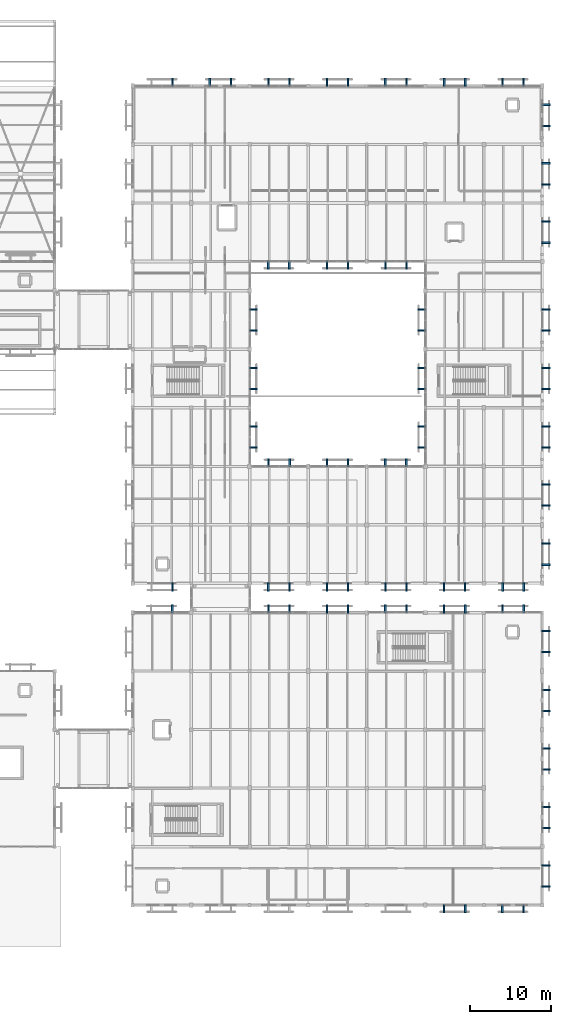
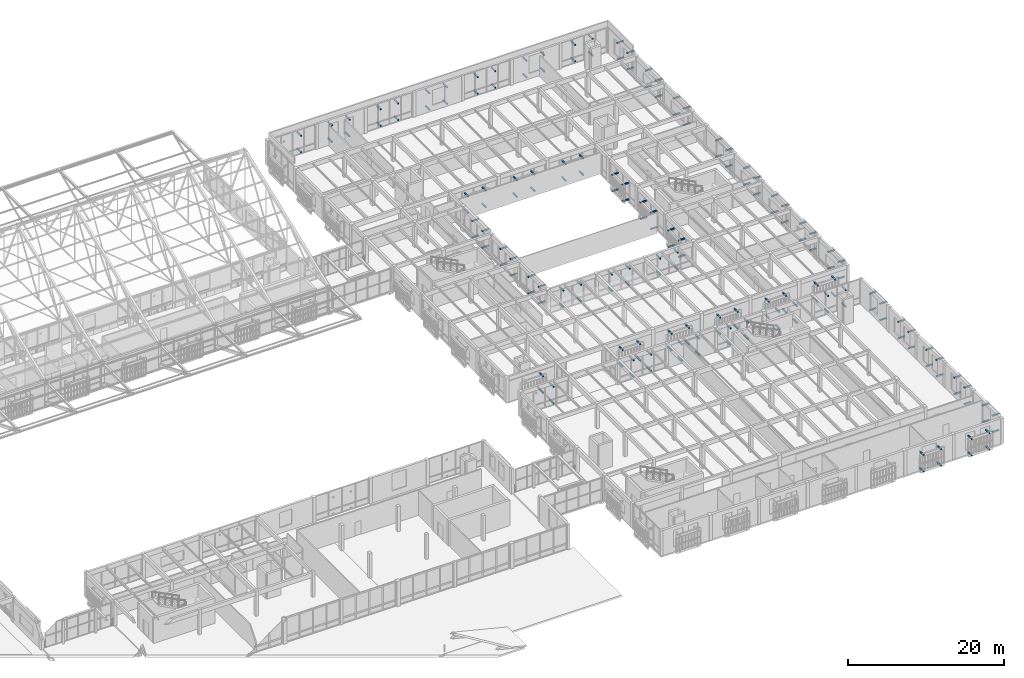
# One storey, part 192 of 217: 178 discrete accessories.
"""IFC4 building model written with IfcOpenShell, lengths in metres."""

import ifcopenshell
import ifcopenshell.guid

model = None  # the IFC model being written
_history = None  # IfcOwnerHistory: only IFC2X3 demands one
_inside = {}  # id of a spatial element -> (the spatial element, [elements in it])
_under = {}  # id of a project, library or spatial element -> (it, [spatial elements below it])
_declared = {}  # id of a project -> (the project, [libraries it declares])
_typed = {}  # id of a type object -> (the type object, [elements of that type])
_made_of = {}  # id of a material, layer set ... -> (it, [elements and type objects made of it])


def new_model(schema):
    """Start an empty IFC model of exactly this schema.

    Asked for "IFC4X3", IfcOpenShell would pick the latest addendum, in which some entities
    have other attributes; the version numbers below select the first issue.
    IFC2X3 requires an IfcOwnerHistory on every rooted entity: one is made here for all.
    """
    global model, _history
    if schema == "IFC4X3":
        model = ifcopenshell.file(schema_version=(4, 3, 0, 0))
    else:
        model = ifcopenshell.file(schema=schema)
    _inside.clear()
    _under.clear()
    _declared.clear()
    _typed.clear()
    _made_of.clear()
    _history = None
    if model.schema == "IFC2X3":
        org = make("IfcOrganization", Name="unknown")
        user = make(
            "IfcPersonAndOrganization",
            ThePerson=make("IfcPerson", FamilyName="unknown"),
            TheOrganization=org,
        )
        app = make(
            "IfcApplication",
            ApplicationDeveloper=org,
            Version="unknown",
            ApplicationFullName="unknown",
            ApplicationIdentifier="unknown",
        )
        _history = make(
            "IfcOwnerHistory",
            OwningUser=user,
            OwningApplication=app,
            ChangeAction="ADDED",
            CreationDate=0,
        )
    return model


def make(cls, **values):
    """One entity of the class cls with the attributes given. An attribute that is None is left unset."""
    return model.create_entity(
        cls, **{name: value for name, value in values.items() if value is not None}
    )


def rooted(cls, **values):
    """An entity with a GlobalId (a new one), such as an element, a storey or a relation."""
    return make(cls, GlobalId=ifcopenshell.guid.new(), OwnerHistory=_history, **values)


def si_unit(unit_type, name, prefix=None):
    """IfcSIUnit, for example si_unit("LENGTHUNIT", "METRE", prefix="MILLI")."""
    return make("IfcSIUnit", UnitType=unit_type, Prefix=prefix, Name=name)


def assignment(units):
    """IfcUnitAssignment: the units of a project."""
    return None if units is None else make("IfcUnitAssignment", Units=units)


def point(xyz):
    """IfcCartesianPoint."""
    return None if xyz is None else make("IfcCartesianPoint", Coordinates=xyz)


def direction(xyz):
    """IfcDirection."""
    return None if xyz is None else make("IfcDirection", DirectionRatios=xyz)


def frame(location, z_axis=None, x_axis=None):
    """IfcAxis2Placement3D, a coordinate frame: its origin and axes. An axis left out is left unset."""
    return make(
        "IfcAxis2Placement3D",
        Location=point(location),
        Axis=direction(z_axis),
        RefDirection=direction(x_axis),
    )


def frame_2d(location, x_axis=None):
    """IfcAxis2Placement2D, a coordinate frame in the plane: its origin and x axis."""
    return make(
        "IfcAxis2Placement2D", Location=point(location), RefDirection=direction(x_axis)
    )


def origin():
    """The frame at (0, 0, 0) with its axes left unset."""
    return frame((0.0, 0.0, 0.0))


def origin_2d():
    """The frame at (0, 0) in the plane with its x axis left unset."""
    return frame_2d((0.0, 0.0))


def place(relative_to, where):
    """IfcLocalPlacement: puts the frame where relative to a parent placement (None: the world)."""
    return make(
        "IfcLocalPlacement", PlacementRelTo=relative_to, RelativePlacement=where
    )


def context(
    kind, dimensions, precision=None, world=None, true_north=None, identifier=None
):
    """IfcGeometricRepresentationContext, for example the 3D "Model" context."""
    return make(
        "IfcGeometricRepresentationContext",
        ContextIdentifier=identifier,
        ContextType=kind,
        CoordinateSpaceDimension=dimensions,
        Precision=precision,
        WorldCoordinateSystem=world,
        TrueNorth=true_north,
    )


def subcontext(parent, identifier, kind, view, scale=None):
    """IfcGeometricRepresentationSubContext, for example "Body" below "Model"."""
    return make(
        "IfcGeometricRepresentationSubContext",
        ContextIdentifier=identifier,
        ContextType=kind,
        ParentContext=parent,
        TargetScale=scale,
        TargetView=view,
    )


def project(units=None, contexts=None):
    """IfcProject with its units and contexts."""
    return rooted(
        "IfcProject",
        Name="project",
        RepresentationContexts=contexts,
        UnitsInContext=assignment(units),
    )


def spatial(cls, under=None, at=None, **own):
    """A site, building, storey or space (cls), placed at a placement, below another one or the project."""
    s = rooted(cls, ObjectPlacement=at, **own)
    if under is not None:
        _under.setdefault(under.id(), (under, []))[1].append(s)
    return s


def profile(cls, at=None, kind="AREA", **sizes):
    """A parametric profile (cls). Its sizes go by their IFC names, for example OverallWidth=200.0."""
    return make(cls, ProfileType=kind, Position=at, **sizes)


def rectangle(**sizes):
    """IfcRectangleProfileDef."""
    return profile("IfcRectangleProfileDef", **sizes)


def extrude(swept, where, along, depth):
    """IfcExtrudedAreaSolid: the profile swept, set in the frame where, extruded along a direction by depth."""
    return make(
        "IfcExtrudedAreaSolid",
        SweptArea=swept,
        Position=where,
        ExtrudedDirection=direction(along),
        Depth=depth,
    )


def shape(context_of_items, identifier, shape_type, items):
    """IfcShapeRepresentation: the items that make up one representation, for example the "Body"."""
    return make(
        "IfcShapeRepresentation",
        ContextOfItems=context_of_items,
        RepresentationIdentifier=identifier,
        RepresentationType=shape_type,
        Items=items,
    )


def material(Name=None, Category=None):
    """IfcMaterial."""
    return make("IfcMaterial", Name=Name, Category=Category)


def made_of(thing, what):
    """Note that an element or type object is made of a material, layer set ...; save() writes the relation."""
    if what is not None:
        _made_of.setdefault(what.id(), (what, []))[1].append(thing)
    return thing


def type_object(cls, material=None, **own):
    """A type object (cls), such as IfcWallType, which elements share."""
    return made_of(rooted(cls, **own), material)


def element(
    cls,
    number,
    at=None,
    inside=None,
    cuts=None,
    type_object=None,
    material=None,
    context=None,
    identifier="Body",
    shape_type=None,
    held_by="IfcProductDefinitionShape",
    body=None,
    shapes=None,
    **own,
):
    """One element of the class cls, such as IfcWall. Its Tag is "e" and its number.

    at: its placement. inside: the storey or other place that contains it. cuts: it is an
    opening in that element (IfcRelVoidsElement). A single representation is given by context,
    identifier, shape_type and body (its items); several are given by shapes. held_by: the class
    of the entity that holds the representations. save() writes the other relations.
    """
    e = rooted(cls, Tag="e%d" % number, ObjectPlacement=at, **own)
    if body is not None:
        shapes = [shape(context, identifier, shape_type, body)]
    if shapes is not None:
        e.Representation = make(held_by, Representations=shapes)
    if inside is not None:
        _inside.setdefault(inside.id(), (inside, []))[1].append(e)
    if cuts is not None:
        rooted(
            "IfcRelVoidsElement", RelatingBuildingElement=cuts, RelatedOpeningElement=e
        )
    if type_object is not None:
        _typed.setdefault(type_object.id(), (type_object, []))[1].append(e)
    return made_of(e, material)


def aggregate(whole, parts):
    """IfcRelAggregates: a whole, such as a stair, and the parts it consists of."""
    return rooted("IfcRelAggregates", RelatingObject=whole, RelatedObjects=parts)


def save(model, path):
    """Write the relations noted so far, then the file.

    IfcRelAggregates (storeys below a building ...), IfcRelContainedInSpatialStructure (elements
    in a storey), IfcRelDefinesByType, IfcRelAssociatesMaterial and IfcRelDeclares: one each for
    every whole, place, type object, material and project.
    """
    for whole, parts in _under.values():
        aggregate(whole, parts)
    for where, things in _inside.values():
        rooted(
            "IfcRelContainedInSpatialStructure",
            RelatedElements=things,
            RelatingStructure=where,
        )
    for kind, things in _typed.values():
        rooted("IfcRelDefinesByType", RelatedObjects=things, RelatingType=kind)
    for what, things in _made_of.values():
        rooted("IfcRelAssociatesMaterial", RelatedObjects=things, RelatingMaterial=what)
    for by, libraries in _declared.values():
        rooted("IfcRelDeclares", RelatingContext=by, RelatedDefinitions=libraries)
    model.write(path)


model = new_model("IFC4")

# Units and contexts
model_context = context("Model", 3, precision=1e-05, world=origin(), true_north=direction((0.0, 1.0)))
body_context = subcontext(model_context, "Body", "Model", "MODEL_VIEW")
ifc_project = project(units=[si_unit("LENGTHUNIT", "METRE"), si_unit("AREAUNIT", "SQUARE_METRE"), si_unit("VOLUMEUNIT", "CUBIC_METRE"), si_unit("PLANEANGLEUNIT", "RADIAN"), si_unit("MASSUNIT", "GRAM", prefix="KILO")], contexts=[model_context])

# Site, building, storey
site_placement = place(None, origin())
site = spatial("IfcSite", under=ifc_project, at=site_placement, CompositionType="ELEMENT")
building_placement = place(site_placement, origin())
building = spatial("IfcBuilding", under=site, at=building_placement, Name="Mazaris Harbour Polytechnic", CompositionType="ELEMENT")
storey_placement = place(building_placement, frame((0.0, 0.0, 9.60009765625)))
storey = spatial("IfcBuildingStorey", under=building, at=storey_placement, Name="L02", CompositionType="ELEMENT", Elevation=9.60009765625)

# Discrete accessories
ifc_material = material(Name="Stainless Steel S355", Category="steel")
discrete_accessory_type = type_object("IfcDiscreteAccessoryType", Name="Stainless Screen Outrigger Bracket 200x1020x200", PredefinedType="BRACKET", material=ifc_material)
for number, where, z_axis, x_axis, name in (
    (1, (163.31591796875, 6.760009765625, 0.16015625), (0.0, 0.0, 1.0), (-1.0, 0.0, 0.0), "Screen Outrigger Bracket 285"),
    (2, (163.31591796875, 6.760009765625, 2.73974609375), (0.0, 0.0, 1.0), (-1.0, 0.0, 0.0), "Screen Outrigger Bracket 286"),
    (3, (160.72412109375, 6.760009765625, 0.16015625), (0.0, 0.0, 1.0), (-1.0, 0.0, 0.0), "Screen Outrigger Bracket 287"),
    (4, (160.72412109375, 6.760009765625, 2.73974609375), (0.0, 0.0, 1.0), (-1.0, 0.0, 0.0), "Screen Outrigger Bracket 288"),
    (5, (170.470947265625, 6.760009765625, 0.16015625), (0.0, 0.0, 1.0), (-1.0, 0.0, 0.0), "Screen Outrigger Bracket 289"),
    (6, (170.470947265625, 6.760009765625, 2.73974609375), (0.0, 0.0, 1.0), (-1.0, 0.0, 0.0), "Screen Outrigger Bracket 290"),
    (7, (167.87890625, 6.760009765625, 0.16015625), (0.0, 0.0, 1.0), (-1.0, 0.0, 0.0), "Screen Outrigger Bracket 291"),
    (8, (167.87890625, 6.760009765625, 2.73974609375), (0.0, 0.0, 1.0), (-1.0, 0.0, 0.0), "Screen Outrigger Bracket 292"),
    (9, (127.27099609375, 43.639892578125, 0.16015625), (0.0, 0.0, 1.0), (1.0, 0.0, 0.0), "Screen Outrigger Bracket 295"),
    (10, (127.27099609375, 43.639892578125, 2.73974609375), (0.0, 0.0, 1.0), (1.0, 0.0, 0.0), "Screen Outrigger Bracket 296"),
    (11, (139.1240234375, 43.639892578125, 0.16015625), (0.0, 0.0, 1.0), (1.0, 0.0, 0.0), "Screen Outrigger Bracket 297"),
    (12, (139.1240234375, 43.639892578125, 2.73974609375), (0.0, 0.0, 1.0), (1.0, 0.0, 0.0), "Screen Outrigger Bracket 298"),
    (13, (141.716064453125, 43.639892578125, 0.16015625), (0.0, 0.0, 1.0), (1.0, 0.0, 0.0), "Screen Outrigger Bracket 299"),
    (14, (141.716064453125, 43.639892578125, 2.73974609375), (0.0, 0.0, 1.0), (1.0, 0.0, 0.0), "Screen Outrigger Bracket 300"),
    (15, (146.2890625, 43.639892578125, 0.16015625), (0.0, 0.0, 1.0), (1.0, 0.0, 0.0), "Screen Outrigger Bracket 301"),
    (16, (146.2890625, 43.639892578125, 2.73974609375), (0.0, 0.0, 1.0), (1.0, 0.0, 0.0), "Screen Outrigger Bracket 302"),
    (17, (148.881103515625, 43.639892578125, 0.16015625), (0.0, 0.0, 1.0), (1.0, 0.0, 0.0), "Screen Outrigger Bracket 303"),
    (18, (148.881103515625, 43.639892578125, 2.73974609375), (0.0, 0.0, 1.0), (1.0, 0.0, 0.0), "Screen Outrigger Bracket 304"),
    (19, (153.47900390625, 43.639892578125, 0.16015625), (0.0, 0.0, 1.0), (1.0, 0.0, 0.0), "Screen Outrigger Bracket 305"),
    (20, (153.47900390625, 43.639892578125, 2.73974609375), (0.0, 0.0, 1.0), (1.0, 0.0, 0.0), "Screen Outrigger Bracket 306"),
    (21, (156.071044921875, 43.639892578125, 0.16015625), (0.0, 0.0, 1.0), (1.0, 0.0, 0.0), "Screen Outrigger Bracket 307"),
    (22, (156.071044921875, 43.639892578125, 2.73974609375), (0.0, 0.0, 1.0), (1.0, 0.0, 0.0), "Screen Outrigger Bracket 308"),
    (23, (160.72412109375, 43.639892578125, 0.16015625), (0.0, 0.0, 1.0), (1.0, 0.0, 0.0), "Screen Outrigger Bracket 309"),
    (24, (160.72412109375, 43.639892578125, 2.73974609375), (0.0, 0.0, 1.0), (1.0, 0.0, 0.0), "Screen Outrigger Bracket 310"),
    (25, (163.31591796875, 43.639892578125, 0.16015625), (0.0, 0.0, 1.0), (1.0, 0.0, 0.0), "Screen Outrigger Bracket 311"),
    (26, (163.31591796875, 43.639892578125, 2.73974609375), (0.0, 0.0, 1.0), (1.0, 0.0, 0.0), "Screen Outrigger Bracket 312"),
    (27, (167.924072265625, 43.639892578125, 0.16015625), (0.0, 0.0, 1.0), (1.0, 0.0, 0.0), "Screen Outrigger Bracket 313"),
    (28, (167.924072265625, 43.639892578125, 2.73974609375), (0.0, 0.0, 1.0), (1.0, 0.0, 0.0), "Screen Outrigger Bracket 314"),
    (29, (170.51611328125, 43.639892578125, 0.16015625), (0.0, 0.0, 1.0), (1.0, 0.0, 0.0), "Screen Outrigger Bracket 315"),
    (30, (170.51611328125, 43.639892578125, 2.73974609375), (0.0, 0.0, 1.0), (1.0, 0.0, 0.0), "Screen Outrigger Bracket 316"),
    (31, (173.239990234375, 12.0859375, 0.16015625), (0.0, 0.0, 1.0), (0.0, -1.0, 0.0), "Screen Outrigger Bracket 333"),
    (32, (173.239990234375, 12.0859375, 2.73974609375), (0.0, 0.0, 1.0), (0.0, -1.0, 0.0), "Screen Outrigger Bracket 334"),
    (33, (173.239990234375, 9.493896484375, 0.16015625), (0.0, 0.0, 1.0), (0.0, -1.0, 0.0), "Screen Outrigger Bracket 335"),
    (34, (173.239990234375, 9.493896484375, 2.73974609375), (0.0, 0.0, 1.0), (0.0, -1.0, 0.0), "Screen Outrigger Bracket 336"),
    (35, (173.239990234375, 19.301025390625, 0.16015625), (0.0, 0.0, 1.0), (0.0, -1.0, 0.0), "Screen Outrigger Bracket 337"),
    (36, (173.239990234375, 19.301025390625, 2.73974609375), (0.0, 0.0, 1.0), (0.0, -1.0, 0.0), "Screen Outrigger Bracket 338"),
    (37, (173.239990234375, 16.708984375, 0.16015625), (0.0, 0.0, 1.0), (0.0, -1.0, 0.0), "Screen Outrigger Bracket 339"),
    (38, (173.239990234375, 16.708984375, 2.73974609375), (0.0, 0.0, 1.0), (0.0, -1.0, 0.0), "Screen Outrigger Bracket 340"),
    (39, (173.239990234375, 26.48095703125, 0.16015625), (0.0, 0.0, 1.0), (0.0, -1.0, 0.0), "Screen Outrigger Bracket 341"),
    (40, (173.239990234375, 26.48095703125, 2.73974609375), (0.0, 0.0, 1.0), (0.0, -1.0, 0.0), "Screen Outrigger Bracket 342"),
    (41, (173.239990234375, 23.888916015625, 0.16015625), (0.0, 0.0, 1.0), (0.0, -1.0, 0.0), "Screen Outrigger Bracket 343"),
    (42, (173.239990234375, 23.888916015625, 2.73974609375), (0.0, 0.0, 1.0), (0.0, -1.0, 0.0), "Screen Outrigger Bracket 344"),
    (43, (173.239990234375, 33.680908203125, 0.16015625), (0.0, 0.0, 1.0), (0.0, -1.0, 0.0), "Screen Outrigger Bracket 345"),
    (44, (173.239990234375, 33.680908203125, 2.73974609375), (0.0, 0.0, 1.0), (0.0, -1.0, 0.0), "Screen Outrigger Bracket 346"),
    (45, (173.239990234375, 31.089111328125, 0.16015625), (0.0, 0.0, 1.0), (0.0, -1.0, 0.0), "Screen Outrigger Bracket 347"),
    (46, (173.239990234375, 31.089111328125, 2.73974609375), (0.0, 0.0, 1.0), (0.0, -1.0, 0.0), "Screen Outrigger Bracket 348"),
    (47, (173.239990234375, 40.9609375, 0.16015625), (0.0, 0.0, 1.0), (0.0, -1.0, 0.0), "Screen Outrigger Bracket 349"),
    (48, (173.239990234375, 40.9609375, 2.73974609375), (0.0, 0.0, 1.0), (0.0, -1.0, 0.0), "Screen Outrigger Bracket 350"),
    (49, (173.239990234375, 38.368896484375, 0.16015625), (0.0, 0.0, 1.0), (0.0, -1.0, 0.0), "Screen Outrigger Bracket 351"),
    (50, (173.239990234375, 38.368896484375, 2.73974609375), (0.0, 0.0, 1.0), (0.0, -1.0, 0.0), "Screen Outrigger Bracket 352"),
    (51, (127.31103515625, 46.360107421875, 0.16015625), (0.0, 0.0, 1.0), (-1.0, 0.0, 0.0), "Screen Outrigger Bracket 1621"),
    (52, (127.31103515625, 46.360107421875, 2.73974609375), (0.0, 0.0, 1.0), (-1.0, 0.0, 0.0), "Screen Outrigger Bracket 1622"),
    (53, (141.676025390625, 46.360107421875, 0.16015625), (0.0, 0.0, 1.0), (-1.0, 0.0, 0.0), "Screen Outrigger Bracket 1625"),
    (54, (141.676025390625, 46.360107421875, 2.73974609375), (0.0, 0.0, 1.0), (-1.0, 0.0, 0.0), "Screen Outrigger Bracket 1626"),
    (55, (139.083984375, 46.360107421875, 0.16015625), (0.0, 0.0, 1.0), (-1.0, 0.0, 0.0), "Screen Outrigger Bracket 1627"),
    (56, (139.083984375, 46.360107421875, 2.73974609375), (0.0, 0.0, 1.0), (-1.0, 0.0, 0.0), "Screen Outrigger Bracket 1628"),
    (57, (148.906005859375, 46.360107421875, 0.16015625), (0.0, 0.0, 1.0), (-1.0, 0.0, 0.0), "Screen Outrigger Bracket 1629"),
    (58, (148.906005859375, 46.360107421875, 2.73974609375), (0.0, 0.0, 1.0), (-1.0, 0.0, 0.0), "Screen Outrigger Bracket 1630"),
    (59, (146.31396484375, 46.360107421875, 0.16015625), (0.0, 0.0, 1.0), (-1.0, 0.0, 0.0), "Screen Outrigger Bracket 1631"),
    (60, (146.31396484375, 46.360107421875, 2.73974609375), (0.0, 0.0, 1.0), (-1.0, 0.0, 0.0), "Screen Outrigger Bracket 1632"),
    (61, (156.10595703125, 46.360107421875, 0.16015625), (0.0, 0.0, 1.0), (-1.0, 0.0, 0.0), "Screen Outrigger Bracket 1633"),
    (62, (156.10595703125, 46.360107421875, 2.73974609375), (0.0, 0.0, 1.0), (-1.0, 0.0, 0.0), "Screen Outrigger Bracket 1634"),
    (63, (153.513916015625, 46.360107421875, 0.16015625), (0.0, 0.0, 1.0), (-1.0, 0.0, 0.0), "Screen Outrigger Bracket 1635"),
    (64, (153.513916015625, 46.360107421875, 2.73974609375), (0.0, 0.0, 1.0), (-1.0, 0.0, 0.0), "Screen Outrigger Bracket 1636"),
    (65, (163.27587890625, 46.360107421875, 0.16015625), (0.0, 0.0, 1.0), (-1.0, 0.0, 0.0), "Screen Outrigger Bracket 1637"),
    (66, (163.27587890625, 46.360107421875, 2.73974609375), (0.0, 0.0, 1.0), (-1.0, 0.0, 0.0), "Screen Outrigger Bracket 1638"),
    (67, (160.68408203125, 46.360107421875, 0.16015625), (0.0, 0.0, 1.0), (-1.0, 0.0, 0.0), "Screen Outrigger Bracket 1639"),
    (68, (160.68408203125, 46.360107421875, 2.73974609375), (0.0, 0.0, 1.0), (-1.0, 0.0, 0.0), "Screen Outrigger Bracket 1640"),
    (69, (170.52099609375, 46.360107421875, 0.16015625), (0.0, 0.0, 1.0), (-1.0, 0.0, 0.0), "Screen Outrigger Bracket 1641"),
    (70, (170.52099609375, 46.360107421875, 2.73974609375), (0.0, 0.0, 1.0), (-1.0, 0.0, 0.0), "Screen Outrigger Bracket 1642"),
    (71, (167.928955078125, 46.360107421875, 0.16015625), (0.0, 0.0, 1.0), (-1.0, 0.0, 0.0), "Screen Outrigger Bracket 1643"),
    (72, (167.928955078125, 46.360107421875, 2.73974609375), (0.0, 0.0, 1.0), (-1.0, 0.0, 0.0), "Screen Outrigger Bracket 1644"),
    (73, (127.31103515625, 108.43994140625, 0.16015625), (0.0, 0.0, 1.0), (1.0, 0.0, 0.0), "Screen Outrigger Bracket 1647"),
    (74, (127.31103515625, 108.43994140625, 2.73974609375), (0.0, 0.0, 1.0), (1.0, 0.0, 0.0), "Screen Outrigger Bracket 1648"),
    (75, (131.884033203125, 108.43994140625, 0.16015625), (0.0, 0.0, 1.0), (1.0, 0.0, 0.0), "Screen Outrigger Bracket 1649"),
    (76, (131.884033203125, 108.43994140625, 2.73974609375), (0.0, 0.0, 1.0), (1.0, 0.0, 0.0), "Screen Outrigger Bracket 1650"),
    (77, (134.47607421875, 108.43994140625, 0.16015625), (0.0, 0.0, 1.0), (1.0, 0.0, 0.0), "Screen Outrigger Bracket 1651"),
    (78, (134.47607421875, 108.43994140625, 2.73974609375), (0.0, 0.0, 1.0), (1.0, 0.0, 0.0), "Screen Outrigger Bracket 1652"),
    (79, (139.114013671875, 108.43994140625, 0.16015625), (0.0, 0.0, 1.0), (1.0, 0.0, 0.0), "Screen Outrigger Bracket 1653"),
    (80, (139.114013671875, 108.43994140625, 2.73974609375), (0.0, 0.0, 1.0), (1.0, 0.0, 0.0), "Screen Outrigger Bracket 1654"),
    (81, (141.7060546875, 108.43994140625, 0.16015625), (0.0, 0.0, 1.0), (1.0, 0.0, 0.0), "Screen Outrigger Bracket 1655"),
    (82, (141.7060546875, 108.43994140625, 2.73974609375), (0.0, 0.0, 1.0), (1.0, 0.0, 0.0), "Screen Outrigger Bracket 1656"),
    (83, (146.31396484375, 108.43994140625, 0.16015625), (0.0, 0.0, 1.0), (1.0, 0.0, 0.0), "Screen Outrigger Bracket 1657"),
    (84, (146.31396484375, 108.43994140625, 2.73974609375), (0.0, 0.0, 1.0), (1.0, 0.0, 0.0), "Screen Outrigger Bracket 1658"),
    (85, (148.906005859375, 108.43994140625, 0.16015625), (0.0, 0.0, 1.0), (1.0, 0.0, 0.0), "Screen Outrigger Bracket 1659"),
    (86, (148.906005859375, 108.43994140625, 2.73974609375), (0.0, 0.0, 1.0), (1.0, 0.0, 0.0), "Screen Outrigger Bracket 1660"),
    (87, (153.48388671875, 108.43994140625, 0.16015625), (0.0, 0.0, 1.0), (1.0, 0.0, 0.0), "Screen Outrigger Bracket 1661"),
    (88, (153.48388671875, 108.43994140625, 2.73974609375), (0.0, 0.0, 1.0), (1.0, 0.0, 0.0), "Screen Outrigger Bracket 1662"),
    (89, (156.075927734375, 108.43994140625, 0.16015625), (0.0, 0.0, 1.0), (1.0, 0.0, 0.0), "Screen Outrigger Bracket 1663"),
    (90, (156.075927734375, 108.43994140625, 2.73974609375), (0.0, 0.0, 1.0), (1.0, 0.0, 0.0), "Screen Outrigger Bracket 1664"),
    (91, (160.72900390625, 108.43994140625, 0.16015625), (0.0, 0.0, 1.0), (1.0, 0.0, 0.0), "Screen Outrigger Bracket 1665"),
    (92, (160.72900390625, 108.43994140625, 2.73974609375), (0.0, 0.0, 1.0), (1.0, 0.0, 0.0), "Screen Outrigger Bracket 1666"),
    (93, (163.321044921875, 108.43994140625, 0.16015625), (0.0, 0.0, 1.0), (1.0, 0.0, 0.0), "Screen Outrigger Bracket 1667"),
    (94, (163.321044921875, 108.43994140625, 2.73974609375), (0.0, 0.0, 1.0), (1.0, 0.0, 0.0), "Screen Outrigger Bracket 1668"),
    (95, (167.884033203125, 108.43994140625, 0.16015625), (0.0, 0.0, 1.0), (1.0, 0.0, 0.0), "Screen Outrigger Bracket 1669"),
    (96, (167.884033203125, 108.43994140625, 2.73974609375), (0.0, 0.0, 1.0), (1.0, 0.0, 0.0), "Screen Outrigger Bracket 1670"),
    (97, (170.47607421875, 108.43994140625, 0.16015625), (0.0, 0.0, 1.0), (1.0, 0.0, 0.0), "Screen Outrigger Bracket 1671"),
    (98, (170.47607421875, 108.43994140625, 2.73974609375), (0.0, 0.0, 1.0), (1.0, 0.0, 0.0), "Screen Outrigger Bracket 1672"),
    (99, (173.239990234375, 51.680908203125, 0.16015625), (0.0, 0.0, 1.0), (0.0, -1.0, 0.0), "Screen Outrigger Bracket 1701"),
    (100, (173.239990234375, 51.680908203125, 2.73974609375), (0.0, 0.0, 1.0), (0.0, -1.0, 0.0), "Screen Outrigger Bracket 1702"),
    (101, (173.239990234375, 49.089111328125, 0.16015625), (0.0, 0.0, 1.0), (0.0, -1.0, 0.0), "Screen Outrigger Bracket 1703"),
    (102, (173.239990234375, 49.089111328125, 2.73974609375), (0.0, 0.0, 1.0), (0.0, -1.0, 0.0), "Screen Outrigger Bracket 1704"),
    (103, (173.239990234375, 58.9609375, 0.16015625), (0.0, 0.0, 1.0), (0.0, -1.0, 0.0), "Screen Outrigger Bracket 1705"),
    (104, (173.239990234375, 58.9609375, 2.73974609375), (0.0, 0.0, 1.0), (0.0, -1.0, 0.0), "Screen Outrigger Bracket 1706"),
    (105, (173.239990234375, 56.368896484375, 0.16015625), (0.0, 0.0, 1.0), (0.0, -1.0, 0.0), "Screen Outrigger Bracket 1707"),
    (106, (173.239990234375, 56.368896484375, 2.73974609375), (0.0, 0.0, 1.0), (0.0, -1.0, 0.0), "Screen Outrigger Bracket 1708"),
    (107, (173.239990234375, 66.0859375, 0.16015625), (0.0, 0.0, 1.0), (0.0, -1.0, 0.0), "Screen Outrigger Bracket 1709"),
    (108, (173.239990234375, 66.0859375, 2.73974609375), (0.0, 0.0, 1.0), (0.0, -1.0, 0.0), "Screen Outrigger Bracket 1710"),
    (109, (173.239990234375, 63.493896484375, 0.16015625), (0.0, 0.0, 1.0), (0.0, -1.0, 0.0), "Screen Outrigger Bracket 1711"),
    (110, (173.239990234375, 63.493896484375, 2.73974609375), (0.0, 0.0, 1.0), (0.0, -1.0, 0.0), "Screen Outrigger Bracket 1712"),
    (111, (173.239990234375, 73.285888671875, 0.16015625), (0.0, 0.0, 1.0), (0.0, -1.0, 0.0), "Screen Outrigger Bracket 1713"),
    (112, (173.239990234375, 73.285888671875, 2.73974609375), (0.0, 0.0, 1.0), (0.0, -1.0, 0.0), "Screen Outrigger Bracket 1714"),
    (113, (173.239990234375, 70.694091796875, 0.16015625), (0.0, 0.0, 1.0), (0.0, -1.0, 0.0), "Screen Outrigger Bracket 1715"),
    (114, (173.239990234375, 70.694091796875, 2.73974609375), (0.0, 0.0, 1.0), (0.0, -1.0, 0.0), "Screen Outrigger Bracket 1716"),
    (115, (173.239990234375, 80.486083984375, 0.16015625), (0.0, 0.0, 1.0), (0.0, -1.0, 0.0), "Screen Outrigger Bracket 1717"),
    (116, (173.239990234375, 80.486083984375, 2.73974609375), (0.0, 0.0, 1.0), (0.0, -1.0, 0.0), "Screen Outrigger Bracket 1718"),
    (117, (173.239990234375, 77.89404296875, 0.16015625), (0.0, 0.0, 1.0), (0.0, -1.0, 0.0), "Screen Outrigger Bracket 1719"),
    (118, (173.239990234375, 77.89404296875, 2.73974609375), (0.0, 0.0, 1.0), (0.0, -1.0, 0.0), "Screen Outrigger Bracket 1720"),
    (119, (173.239990234375, 91.301025390625, 0.16015625), (0.0, 0.0, 1.0), (0.0, -1.0, 0.0), "Screen Outrigger Bracket 1721"),
    (120, (173.239990234375, 91.301025390625, 2.73974609375), (0.0, 0.0, 1.0), (0.0, -1.0, 0.0), "Screen Outrigger Bracket 1722"),
    (121, (173.239990234375, 88.708984375, 0.16015625), (0.0, 0.0, 1.0), (0.0, -1.0, 0.0), "Screen Outrigger Bracket 1723"),
    (122, (173.239990234375, 88.708984375, 2.73974609375), (0.0, 0.0, 1.0), (0.0, -1.0, 0.0), "Screen Outrigger Bracket 1724"),
    (123, (173.239990234375, 98.48095703125, 0.16015625), (0.0, 0.0, 1.0), (0.0, -1.0, 0.0), "Screen Outrigger Bracket 1725"),
    (124, (173.239990234375, 98.48095703125, 2.73974609375), (0.0, 0.0, 1.0), (0.0, -1.0, 0.0), "Screen Outrigger Bracket 1726"),
    (125, (173.239990234375, 95.888916015625, 0.16015625), (0.0, 0.0, 1.0), (0.0, -1.0, 0.0), "Screen Outrigger Bracket 1727"),
    (126, (173.239990234375, 95.888916015625, 2.73974609375), (0.0, 0.0, 1.0), (0.0, -1.0, 0.0), "Screen Outrigger Bracket 1728"),
    (127, (173.239990234375, 105.680908203125, 0.16015625), (0.0, 0.0, 1.0), (0.0, -1.0, 0.0), "Screen Outrigger Bracket 1729"),
    (128, (173.239990234375, 105.680908203125, 2.73974609375), (0.0, 0.0, 1.0), (0.0, -1.0, 0.0), "Screen Outrigger Bracket 1730"),
    (129, (173.239990234375, 103.089111328125, 0.16015625), (0.0, 0.0, 1.0), (0.0, -1.0, 0.0), "Screen Outrigger Bracket 1731"),
    (130, (173.239990234375, 103.089111328125, 2.73974609375), (0.0, 0.0, 1.0), (0.0, -1.0, 0.0), "Screen Outrigger Bracket 1732"),
    (131, (139.12890625, 61.639892578125, 0.16015625), (0.0, 0.0, 1.0), (1.0, 0.0, 0.0), "Screen Outrigger Bracket 1733"),
    (132, (139.12890625, 61.639892578125, 2.73974609375), (0.0, 0.0, 1.0), (1.0, 0.0, 0.0), "Screen Outrigger Bracket 1734"),
    (133, (141.720947265625, 61.639892578125, 0.16015625), (0.0, 0.0, 1.0), (1.0, 0.0, 0.0), "Screen Outrigger Bracket 1735"),
    (134, (141.720947265625, 61.639892578125, 2.73974609375), (0.0, 0.0, 1.0), (1.0, 0.0, 0.0), "Screen Outrigger Bracket 1736"),
    (135, (146.31396484375, 61.639892578125, 0.16015625), (0.0, 0.0, 1.0), (1.0, 0.0, 0.0), "Screen Outrigger Bracket 1737"),
    (136, (146.31396484375, 61.639892578125, 2.73974609375), (0.0, 0.0, 1.0), (1.0, 0.0, 0.0), "Screen Outrigger Bracket 1738"),
    (137, (148.906005859375, 61.639892578125, 0.16015625), (0.0, 0.0, 1.0), (1.0, 0.0, 0.0), "Screen Outrigger Bracket 1739"),
    (138, (148.906005859375, 61.639892578125, 2.73974609375), (0.0, 0.0, 1.0), (1.0, 0.0, 0.0), "Screen Outrigger Bracket 1740"),
    (139, (153.468994140625, 61.639892578125, 0.16015625), (0.0, 0.0, 1.0), (1.0, 0.0, 0.0), "Screen Outrigger Bracket 1741"),
    (140, (153.468994140625, 61.639892578125, 2.73974609375), (0.0, 0.0, 1.0), (1.0, 0.0, 0.0), "Screen Outrigger Bracket 1742"),
    (141, (156.06103515625, 61.639892578125, 0.16015625), (0.0, 0.0, 1.0), (1.0, 0.0, 0.0), "Screen Outrigger Bracket 1743"),
    (142, (156.06103515625, 61.639892578125, 2.73974609375), (0.0, 0.0, 1.0), (1.0, 0.0, 0.0), "Screen Outrigger Bracket 1744"),
    (143, (141.6708984375, 85.9599609375, 0.16015625), (0.0, 0.0, 1.0), (-1.0, 0.0, 0.0), "Screen Outrigger Bracket 1745"),
    (144, (141.6708984375, 85.9599609375, 2.73974609375), (0.0, 0.0, 1.0), (-1.0, 0.0, 0.0), "Screen Outrigger Bracket 1746"),
    (145, (139.0791015625, 85.9599609375, 0.16015625), (0.0, 0.0, 1.0), (-1.0, 0.0, 0.0), "Screen Outrigger Bracket 1747"),
    (146, (139.0791015625, 85.9599609375, 2.73974609375), (0.0, 0.0, 1.0), (-1.0, 0.0, 0.0), "Screen Outrigger Bracket 1748"),
    (147, (148.906005859375, 85.9599609375, 0.16015625), (0.0, 0.0, 1.0), (-1.0, 0.0, 0.0), "Screen Outrigger Bracket 1749"),
    (148, (148.906005859375, 85.9599609375, 2.73974609375), (0.0, 0.0, 1.0), (-1.0, 0.0, 0.0), "Screen Outrigger Bracket 1750"),
    (149, (146.31396484375, 85.9599609375, 0.16015625), (0.0, 0.0, 1.0), (-1.0, 0.0, 0.0), "Screen Outrigger Bracket 1751"),
    (150, (146.31396484375, 85.9599609375, 2.73974609375), (0.0, 0.0, 1.0), (-1.0, 0.0, 0.0), "Screen Outrigger Bracket 1752"),
    (151, (156.111083984375, 85.9599609375, 0.16015625), (0.0, 0.0, 1.0), (-1.0, 0.0, 0.0), "Screen Outrigger Bracket 1753"),
    (152, (156.111083984375, 85.9599609375, 2.73974609375), (0.0, 0.0, 1.0), (-1.0, 0.0, 0.0), "Screen Outrigger Bracket 1754"),
    (153, (153.51904296875, 85.9599609375, 0.16015625), (0.0, 0.0, 1.0), (-1.0, 0.0, 0.0), "Screen Outrigger Bracket 1755"),
    (154, (153.51904296875, 85.9599609375, 2.73974609375), (0.0, 0.0, 1.0), (-1.0, 0.0, 0.0), "Screen Outrigger Bracket 1756"),
    (155, (137.239990234375, 63.509033203125, 0.16015625), (0.0, 0.0, 1.0), (0.0, 1.0, 0.0), "Screen Outrigger Bracket 1757"),
    (156, (137.239990234375, 63.509033203125, 2.73974609375), (0.0, 0.0, 1.0), (0.0, 1.0, 0.0), "Screen Outrigger Bracket 1758"),
    (157, (137.239990234375, 66.10107421875, 0.16015625), (0.0, 0.0, 1.0), (0.0, 1.0, 0.0), "Screen Outrigger Bracket 1759"),
    (158, (137.239990234375, 66.10107421875, 2.73974609375), (0.0, 0.0, 1.0), (0.0, 1.0, 0.0), "Screen Outrigger Bracket 1760"),
    (159, (137.239990234375, 70.68896484375, 0.16015625), (0.0, 0.0, 1.0), (0.0, 1.0, 0.0), "Screen Outrigger Bracket 1761"),
    (160, (137.239990234375, 70.68896484375, 2.73974609375), (0.0, 0.0, 1.0), (0.0, 1.0, 0.0), "Screen Outrigger Bracket 1762"),
    (161, (137.239990234375, 73.281005859375, 0.16015625), (0.0, 0.0, 1.0), (0.0, 1.0, 0.0), "Screen Outrigger Bracket 1763"),
    (162, (137.239990234375, 73.281005859375, 2.73974609375), (0.0, 0.0, 1.0), (0.0, 1.0, 0.0), "Screen Outrigger Bracket 1764"),
    (163, (137.239990234375, 77.888916015625, 0.16015625), (0.0, 0.0, 1.0), (0.0, 1.0, 0.0), "Screen Outrigger Bracket 1765"),
    (164, (137.239990234375, 77.888916015625, 2.73974609375), (0.0, 0.0, 1.0), (0.0, 1.0, 0.0), "Screen Outrigger Bracket 1766"),
    (165, (137.239990234375, 80.48095703125, 0.16015625), (0.0, 0.0, 1.0), (0.0, 1.0, 0.0), "Screen Outrigger Bracket 1767"),
    (166, (137.239990234375, 80.48095703125, 2.73974609375), (0.0, 0.0, 1.0), (0.0, 1.0, 0.0), "Screen Outrigger Bracket 1768"),
    (167, (157.9599609375, 66.10107421875, 0.16015625), (0.0, 0.0, 1.0), (0.0, -1.0, 0.0), "Screen Outrigger Bracket 1769"),
    (168, (157.9599609375, 66.10107421875, 2.73974609375), (0.0, 0.0, 1.0), (0.0, -1.0, 0.0), "Screen Outrigger Bracket 1770"),
    (169, (157.9599609375, 63.509033203125, 0.16015625), (0.0, 0.0, 1.0), (0.0, -1.0, 0.0), "Screen Outrigger Bracket 1771"),
    (170, (157.9599609375, 63.509033203125, 2.73974609375), (0.0, 0.0, 1.0), (0.0, -1.0, 0.0), "Screen Outrigger Bracket 1772"),
    (171, (157.9599609375, 73.281005859375, 0.16015625), (0.0, 0.0, 1.0), (0.0, -1.0, 0.0), "Screen Outrigger Bracket 1773"),
    (172, (157.9599609375, 73.281005859375, 2.73974609375), (0.0, 0.0, 1.0), (0.0, -1.0, 0.0), "Screen Outrigger Bracket 1774"),
    (173, (157.9599609375, 70.68896484375, 0.16015625), (0.0, 0.0, 1.0), (0.0, -1.0, 0.0), "Screen Outrigger Bracket 1775"),
    (174, (157.9599609375, 70.68896484375, 2.73974609375), (0.0, 0.0, 1.0), (0.0, -1.0, 0.0), "Screen Outrigger Bracket 1776"),
    (175, (157.9599609375, 80.48095703125, 0.16015625), (0.0, 0.0, 1.0), (0.0, -1.0, 0.0), "Screen Outrigger Bracket 1777"),
    (176, (157.9599609375, 80.48095703125, 2.73974609375), (0.0, 0.0, 1.0), (0.0, -1.0, 0.0), "Screen Outrigger Bracket 1778"),
    (177, (157.9599609375, 77.888916015625, 0.16015625), (0.0, 0.0, 1.0), (0.0, -1.0, 0.0), "Screen Outrigger Bracket 1779"),
    (178, (157.9599609375, 77.888916015625, 2.73974609375), (0.0, 0.0, 1.0), (0.0, -1.0, 0.0), "Screen Outrigger Bracket 1780"),
):
    element("IfcDiscreteAccessory", number, at=place(storey_placement, frame(where, z_axis=z_axis, x_axis=x_axis)), inside=storey, type_object=discrete_accessory_type, Name=name, PredefinedType="BRACKET", context=body_context, shape_type="SweptSolid", body=[
        extrude(rectangle(XDim=0.199951171875, YDim=1.02001953125, at=origin_2d()), origin(), (0.0, 0.0, 1.0), 0.199951171875),
    ])

save(model, "model.ifc")
